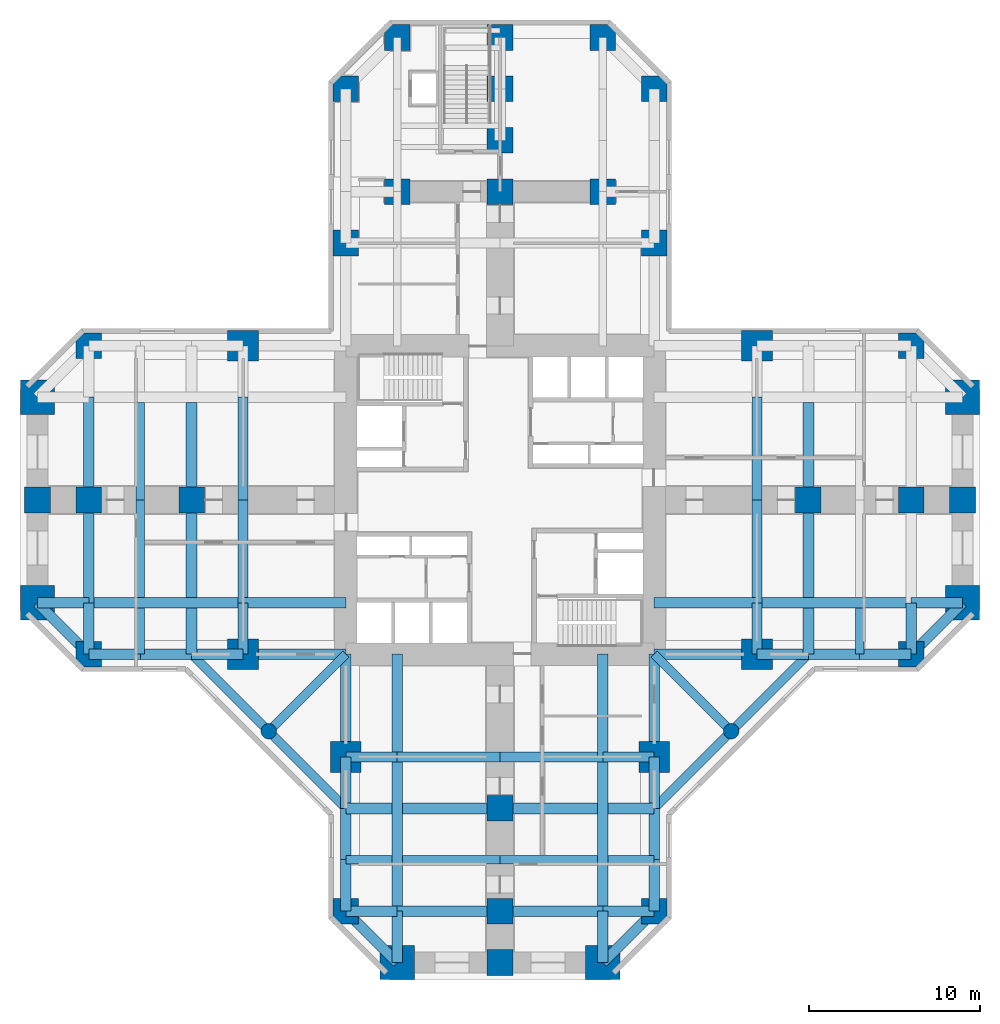
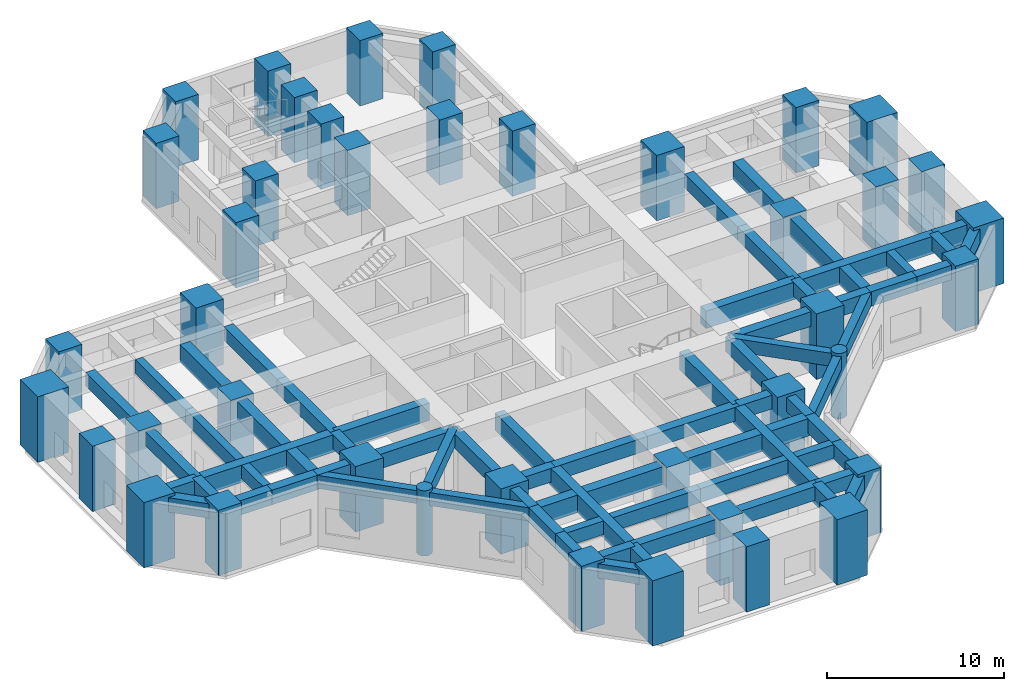
# One storey, part 1 of 8: 74 beams, 41 columns.
"""IFC4 building model written with IfcOpenShell, lengths in metres."""

from ifc_helpers import new_model, si_unit, direction, frame, origin, origin_2d, place, context, subcontext, project, spatial, rectangle, circle, extrude, material, material_profile, profile_set, type_object, element, save


model = new_model("IFC4")

# Units and contexts
model_context = context("Model", 3, precision=1e-05, world=origin(), true_north=direction((0.0, 1.0)))
body_context = subcontext(model_context, "Body", "Model", "MODEL_VIEW")
ifc_project = project(units=[si_unit("LENGTHUNIT", "METRE"), si_unit("AREAUNIT", "SQUARE_METRE"), si_unit("VOLUMEUNIT", "CUBIC_METRE"), si_unit("PLANEANGLEUNIT", "RADIAN"), si_unit("MASSUNIT", "GRAM", prefix="KILO")], contexts=[model_context])

# Site, building, storey
site_placement = place(None, origin())
site = spatial("IfcSite", under=ifc_project, at=site_placement, CompositionType="ELEMENT")
building_placement = place(site_placement, origin())
building = spatial("IfcBuilding", under=site, at=building_placement, Name="Torre Cruceta", CompositionType="ELEMENT")
storey_placement = place(building_placement, frame((0.0, 0.0, 9.5)))
storey = spatial("IfcBuildingStorey", under=building, at=storey_placement, Name="L02", CompositionType="ELEMENT", Elevation=9.5)

# Columns
ifc_material_1 = material(Name="Concrete G60 (fck 60 MPa)", Category="concrete")
ifc_material_profile_1 = material_profile(ifc_material_1, rectangle(XDim=1.5, YDim=1.5, at=origin_2d()), Name="RC 1500X1500")
ifc_profile_set_1 = profile_set([ifc_material_profile_1], Name="Concrete G60 (fck 60 MPa)")
column_type_1 = type_object("IfcColumnType", Name="COLUMN RC 1500X1500", PredefinedType="COLUMN", material=ifc_profile_set_1)
for number, where, z_axis, x_axis, name in (
    (1, (9.0, 15.0, 0.0), (0.0, 0.0, 1.0), (1.0, 0.0, 0.0), "C0 L02 N side"),
    (2, (9.0, 24.0, 0.0), (0.0, 0.0, 1.0), (1.0, 0.0, 0.0), "C0 L02 N chamfer"),
    (3, (-9.0, 15.0, 0.0), (0.0, 0.0, 1.0), (1.0, 0.0, 0.0), "C0 L02 N side"),
    (4, (-9.0, 24.0, 0.0), (0.0, 0.0, 1.0), (1.0, 0.0, 0.0), "C0 L02 N chamfer"),
    (5, (6.0, 27.0, 0.0), (0.0, 0.0, 1.0), (1.0, 0.0, 0.0), "C0 L02 N tip"),
    (6, (0.0, 27.0, 0.0), (0.0, 0.0, 1.0), (1.0, 0.0, 0.0), "C0 L02 N tip"),
    (7, (-6.0, 27.0, 0.0), (0.0, 0.0, 1.0), (1.0, 0.0, 0.0), "C0 L02 N tip"),
    (8, (24.0, -9.0, 0.0), (0.0, 0.0, 1.0), (1.0, 0.0, 0.0), "C0 L02 E chamfer"),
    (9, (24.0, 9.0, 0.0), (0.0, 0.0, 1.0), (1.0, 0.0, 0.0), "C0 L02 E chamfer"),
    (10, (27.0, 0.0, 0.0), (0.0, 0.0, 1.0), (1.0, 0.0, 0.0), "C0 L02 E tip"),
    (11, (-9.0, -24.0, 0.0), (0.0, 0.0, 1.0), (1.0, 0.0, 0.0), "C0 L02 S chamfer"),
    (12, (9.0, -24.0, 0.0), (0.0, 0.0, 1.0), (1.0, 0.0, 0.0), "C0 L02 S chamfer"),
    (13, (0.0, -27.0, 0.0), (0.0, 0.0, 1.0), (1.0, 0.0, 0.0), "C0 L02 S tip"),
    (14, (-24.0, 9.0, 0.0), (0.0, 0.0, 1.0), (1.0, 0.0, 0.0), "C0 L02 W chamfer"),
    (15, (-24.0, -9.0, 0.0), (0.0, 0.0, 1.0), (1.0, 0.0, 0.0), "C0 L02 W chamfer"),
    (16, (-27.0, 0.0, 0.0), (0.0, 0.0, 1.0), (1.0, 0.0, 0.0), "C0 L02 W tip"),
    (17, (6.0, 18.0, 0.0), (0.0, 0.0, 1.0), (1.0, 0.0, 0.0), "C0 L02 N interior"),
    (18, (0.0, 18.0, 0.0), (0.0, 0.0, 1.0), (1.0, 0.0, 0.0), "C0 L02 N interior"),
    (19, (-6.0, 18.0, 0.0), (0.0, 0.0, 1.0), (1.0, 0.0, 0.0), "C0 L02 N interior"),
    (20, (0.0, 21.0, 0.0), (0.0, 0.0, 1.0), (1.0, 0.0, 0.0), "C0 L02 N interior"),
    (21, (0.0, 24.0, 0.0), (0.0, 0.0, 1.0), (1.0, 0.0, 0.0), "C0 L02 N interior"),
    (22, (18.0, 0.0, 0.0), (0.0, 0.0, 1.0), (1.0, 0.0, 0.0), "C0 L02 E interior"),
    (23, (24.0, 0.0, 0.0), (0.0, 0.0, 1.0), (1.0, 0.0, 0.0), "C0 L02 E interior"),
    (24, (0.0, -18.0, 0.0), (0.0, 0.0, 1.0), (1.0, 0.0, 0.0), "C0 L02 S interior"),
    (25, (0.0, -24.0, 0.0), (0.0, 0.0, 1.0), (1.0, 0.0, 0.0), "C0 L02 S interior"),
    (26, (-18.0, 0.0, 0.0), (0.0, 0.0, 1.0), (1.0, 0.0, 0.0), "C0 L02 W interior"),
    (27, (-24.0, 0.0, 0.0), (0.0, 0.0, 1.0), (1.0, 0.0, 0.0), "C0 L02 W interior"),
):
    element("IfcColumn", number, at=place(storey_placement, frame(where, z_axis=z_axis, x_axis=x_axis)), inside=storey, type_object=column_type_1, Name=name, PredefinedType="COLUMN", context=body_context, shape_type="SweptSolid", body=[
        extrude(rectangle(XDim=1.5, YDim=1.5, at=origin_2d()), origin(), (0.0, 0.0, 1.0), 4.5),
    ])
ifc_material_2 = material(Name="Concrete G60 (fck 60 MPa)", Category="concrete")
ifc_material_profile_2 = material_profile(ifc_material_2, rectangle(XDim=1.800048828125, YDim=1.800048828125, at=origin_2d()), Name="RC 1800X1800")
ifc_profile_set_2 = profile_set([ifc_material_profile_2], Name="Concrete G60 (fck 60 MPa)")
column_type_2 = type_object("IfcColumnType", Name="COLUMN RC 1800X1800", PredefinedType="COLUMN", material=ifc_profile_set_2)
for number, where, z_axis, x_axis, name in (
    (28, (15.0, -9.0, 0.0), (0.0, 0.0, 1.0), (1.0, 0.0, 0.0), "CB L02 E side"),
    (29, (15.0, 9.0, 0.0), (0.0, 0.0, 1.0), (1.0, 0.0, 0.0), "CB L02 E side"),
    (30, (-9.0, -15.0, 0.0), (0.0, 0.0, 1.0), (1.0, 0.0, 0.0), "CB L02 S side"),
    (31, (9.0, -15.0, 0.0), (0.0, 0.0, 1.0), (1.0, 0.0, 0.0), "CB L02 S side"),
    (32, (-15.0, 9.0, 0.0), (0.0, 0.0, 1.0), (1.0, 0.0, 0.0), "CB L02 W side"),
    (33, (-15.0, -9.0, 0.0), (0.0, 0.0, 1.0), (1.0, 0.0, 0.0), "CB L02 W side"),
):
    element("IfcColumn", number, at=place(storey_placement, frame(where, z_axis=z_axis, x_axis=x_axis)), inside=storey, type_object=column_type_2, Name=name, PredefinedType="COLUMN", context=body_context, shape_type="SweptSolid", body=[
        extrude(rectangle(XDim=1.800048828125, YDim=1.800048828125, at=origin_2d()), origin(), (0.0, 0.0, 1.0), 4.5),
    ])
ifc_material_3 = material(Name="Concrete G60 (fck 60 MPa)", Category="concrete")
ifc_material_profile_3 = material_profile(ifc_material_3, rectangle(XDim=2.0, YDim=2.0, at=origin_2d()), Name="RC 2000X2000")
ifc_profile_set_3 = profile_set([ifc_material_profile_3], Name="Concrete G60 (fck 60 MPa)")
column_type_3 = type_object("IfcColumnType", Name="COLUMN RC 2000X2000", PredefinedType="COLUMN", material=ifc_profile_set_3)
for number, where, z_axis, x_axis, name in (
    (34, (27.0, -6.0, 0.0), (0.0, 0.0, 1.0), (1.0, 0.0, 0.0), "CA L02 E tip"),
    (35, (27.0, 6.0, 0.0), (0.0, 0.0, 1.0), (1.0, 0.0, 0.0), "CA L02 E tip"),
    (36, (-6.0, -27.0, 0.0), (0.0, 0.0, 1.0), (1.0, 0.0, 0.0), "CA L02 S tip"),
    (37, (6.0, -27.0, 0.0), (0.0, 0.0, 1.0), (1.0, 0.0, 0.0), "CA L02 S tip"),
    (38, (-27.0, 6.0, 0.0), (0.0, 0.0, 1.0), (1.0, 0.0, 0.0), "CA L02 W tip"),
    (39, (-27.0, -6.0, 0.0), (0.0, 0.0, 1.0), (1.0, 0.0, 0.0), "CA L02 W tip"),
):
    element("IfcColumn", number, at=place(storey_placement, frame(where, z_axis=z_axis, x_axis=x_axis)), inside=storey, type_object=column_type_3, Name=name, PredefinedType="COLUMN", context=body_context, shape_type="SweptSolid", body=[
        extrude(rectangle(XDim=2.0, YDim=2.0, at=origin_2d()), origin(), (0.0, 0.0, 1.0), 4.5),
    ])
ifc_material_4 = material(Name="Concrete G60 (fck 60 MPa)", Category="concrete")
ifc_material_profile_4 = material_profile(ifc_material_4, circle(Radius=0.449951171875, at=origin_2d()), Name="RC D900")
ifc_profile_set_4 = profile_set([ifc_material_profile_4], Name="Concrete G60 (fck 60 MPa)")
column_type_4 = type_object("IfcColumnType", Name="COLUMN RC D900", PredefinedType="COLUMN", material=ifc_profile_set_4)
for number, where, z_axis, x_axis, name in (
    (40, (13.5, -13.5, 0.0), (0.0, 0.0, 1.0), (1.0, 0.0, 0.0), "C9 L02 S wing"),
    (41, (-13.5, -13.5, 0.0), (0.0, 0.0, 1.0), (1.0, 0.0, 0.0), "C9 L02 W wing"),
):
    element("IfcColumn", number, at=place(storey_placement, frame(where, z_axis=z_axis, x_axis=x_axis)), inside=storey, type_object=column_type_4, Name=name, PredefinedType="COLUMN", context=body_context, shape_type="SweptSolid", body=[
        extrude(circle(Radius=0.449951171875, at=origin_2d()), origin(), (0.0, 0.0, 1.0), 4.5),
    ])

# Beams
ifc_material_5 = material(Name="Concrete G60 (fck 60 MPa)", Category="concrete")
ifc_material_profile_5 = material_profile(ifc_material_5, rectangle(XDim=0.60009765625, YDim=1.199951171875, at=origin_2d()), Name="RC 600X1200")
ifc_profile_set_5 = profile_set([ifc_material_profile_5], Name="Concrete G60 (fck 60 MPa)")
beam_type_1 = type_object("IfcBeamType", Name="COLUMN LINE BEAM RC 600X1200", PredefinedType="BEAM", material=ifc_profile_set_5)
beam_1_placement = place(storey_placement, frame((9.0, -6.0, 3.699951171875), z_axis=(1.0, 0.0, 0.0), x_axis=(0.0, 1.0, 0.0)))
element("IfcBeam", 42, at=beam_1_placement, inside=storey, type_object=beam_type_1, Name="LB2 L02 E col- 1", PredefinedType="BEAM", context=body_context, shape_type="SweptSolid", body=[
    extrude(rectangle(XDim=0.60009765625, YDim=1.199951171875, at=origin_2d()), origin(), (0.0, 0.0, 1.0), 6.0),
])
beam_2_placement = place(storey_placement, frame((15.0, -6.0, 3.699951171875), z_axis=(1.0, 0.0, 0.0), x_axis=(0.0, 1.0, 0.0)))
element("IfcBeam", 43, at=beam_2_placement, inside=storey, type_object=beam_type_1, Name="LB2 L02 E col- 2", PredefinedType="BEAM", context=body_context, shape_type="SweptSolid", body=[
    extrude(rectangle(XDim=0.60009765625, YDim=1.199951171875, at=origin_2d()), origin(), (0.0, 0.0, 1.0), 9.0),
])
beam_3_placement = place(storey_placement, frame((24.0, -6.0, 3.699951171875), z_axis=(1.0, 0.0, 0.0), x_axis=(0.0, 1.0, 0.0)))
element("IfcBeam", 44, at=beam_3_placement, inside=storey, type_object=beam_type_1, Name="LB2 L02 E col- 5", PredefinedType="BEAM", context=body_context, shape_type="SweptSolid", body=[
    extrude(rectangle(XDim=0.60009765625, YDim=1.199951171875, at=origin_2d()), origin(), (0.0, 0.0, 1.0), 3.0),
])
beam_4_placement = place(storey_placement, frame((-6.0, -9.0, 3.699951171875), z_axis=(0.0, -1.0, 0.0), x_axis=(1.0, 0.0, 0.0)))
element("IfcBeam", 45, at=beam_4_placement, inside=storey, type_object=beam_type_1, Name="LB2 L02 S col- 1", PredefinedType="BEAM", context=body_context, shape_type="SweptSolid", body=[
    extrude(rectangle(XDim=0.60009765625, YDim=1.199951171875, at=origin_2d()), origin(), (0.0, 0.0, 1.0), 6.0),
])
beam_5_placement = place(storey_placement, frame((-6.0, -15.0, 3.699951171875), z_axis=(0.0, -1.0, 0.0), x_axis=(1.0, 0.0, 0.0)))
element("IfcBeam", 46, at=beam_5_placement, inside=storey, type_object=beam_type_1, Name="LB2 L02 S col- 2", PredefinedType="BEAM", context=body_context, shape_type="SweptSolid", body=[
    extrude(rectangle(XDim=0.60009765625, YDim=1.199951171875, at=origin_2d()), origin(), (0.0, 0.0, 1.0), 9.0),
])
beam_6_placement = place(storey_placement, frame((-6.0, -24.0, 3.699951171875), z_axis=(0.0, -1.0, 0.0), x_axis=(1.0, 0.0, 0.0)))
element("IfcBeam", 47, at=beam_6_placement, inside=storey, type_object=beam_type_1, Name="LB2 L02 S col- 5", PredefinedType="BEAM", context=body_context, shape_type="SweptSolid", body=[
    extrude(rectangle(XDim=0.60009765625, YDim=1.199951171875, at=origin_2d()), origin(), (0.0, 0.0, 1.0), 3.0),
])
beam_7_placement = place(storey_placement, frame((6.0, -9.0, 3.699951171875), z_axis=(0.0, -1.0, 0.0), x_axis=(1.0, 0.0, 0.0)))
element("IfcBeam", 48, at=beam_7_placement, inside=storey, type_object=beam_type_1, Name="LB2 L02 S col+ 1", PredefinedType="BEAM", context=body_context, shape_type="SweptSolid", body=[
    extrude(rectangle(XDim=0.60009765625, YDim=1.199951171875, at=origin_2d()), origin(), (0.0, 0.0, 1.0), 6.0),
])
beam_8_placement = place(storey_placement, frame((6.0, -15.0, 3.699951171875), z_axis=(0.0, -1.0, 0.0), x_axis=(1.0, 0.0, 0.0)))
element("IfcBeam", 49, at=beam_8_placement, inside=storey, type_object=beam_type_1, Name="LB2 L02 S col+ 2", PredefinedType="BEAM", context=body_context, shape_type="SweptSolid", body=[
    extrude(rectangle(XDim=0.60009765625, YDim=1.199951171875, at=origin_2d()), origin(), (0.0, 0.0, 1.0), 9.0),
])
beam_9_placement = place(storey_placement, frame((6.0, -24.0, 3.699951171875), z_axis=(0.0, -1.0, 0.0), x_axis=(1.0, 0.0, 0.0)))
element("IfcBeam", 50, at=beam_9_placement, inside=storey, type_object=beam_type_1, Name="LB2 L02 S col+ 5", PredefinedType="BEAM", context=body_context, shape_type="SweptSolid", body=[
    extrude(rectangle(XDim=0.60009765625, YDim=1.199951171875, at=origin_2d()), origin(), (0.0, 0.0, 1.0), 3.0),
])
beam_10_placement = place(storey_placement, frame((-9.0, -6.0, 3.699951171875), z_axis=(-1.0, 0.0, 0.0), x_axis=(0.0, -1.0, 0.0)))
element("IfcBeam", 51, at=beam_10_placement, inside=storey, type_object=beam_type_1, Name="LB2 L02 W col+ 1", PredefinedType="BEAM", context=body_context, shape_type="SweptSolid", body=[
    extrude(rectangle(XDim=0.60009765625, YDim=1.199951171875, at=origin_2d()), origin(), (0.0, 0.0, 1.0), 6.0),
])
beam_11_placement = place(storey_placement, frame((-15.0, -6.0, 3.699951171875), z_axis=(-1.0, 0.0, 0.0), x_axis=(0.0, -1.0, 0.0)))
element("IfcBeam", 52, at=beam_11_placement, inside=storey, type_object=beam_type_1, Name="LB2 L02 W col+ 2", PredefinedType="BEAM", context=body_context, shape_type="SweptSolid", body=[
    extrude(rectangle(XDim=0.60009765625, YDim=1.199951171875, at=origin_2d()), origin(), (0.0, 0.0, 1.0), 9.0),
])
beam_12_placement = place(storey_placement, frame((-24.0, -6.0, 3.699951171875), z_axis=(-1.0, 0.0, 0.0), x_axis=(0.0, -1.0, 0.0)))
element("IfcBeam", 53, at=beam_12_placement, inside=storey, type_object=beam_type_1, Name="LB2 L02 W col+ 5", PredefinedType="BEAM", context=body_context, shape_type="SweptSolid", body=[
    extrude(rectangle(XDim=0.60009765625, YDim=1.199951171875, at=origin_2d()), origin(), (0.0, 0.0, 1.0), 3.0),
])
ifc_material_6 = material(Name="Concrete G60 (fck 60 MPa)", Category="concrete")
ifc_material_profile_6 = material_profile(ifc_material_6, rectangle(XDim=0.60009765625, YDim=0.949951171875, at=origin_2d()), Name="RC 600X950")
ifc_profile_set_6 = profile_set([ifc_material_profile_6], Name="Concrete G60 (fck 60 MPa)")
beam_type_2 = type_object("IfcBeamType", Name="CROSS BEAM RC 600X950", PredefinedType="BEAM", material=ifc_profile_set_6)
beam_13_placement = place(storey_placement, frame((15.0, -9.0, 3.824951171875), z_axis=(0.0, 1.0, 0.0), x_axis=(-1.0, 0.0, 0.0)))
element("IfcBeam", 54, at=beam_13_placement, inside=storey, type_object=beam_type_2, Name="GB1 L02 E cross15 1", PredefinedType="BEAM", context=body_context, shape_type="SweptSolid", body=[
    extrude(rectangle(XDim=0.60009765625, YDim=0.949951171875, at=origin_2d()), origin(), (0.0, 0.0, 1.0), 3.0),
])
for number, where, z_axis, x_axis, name in (
    (55, (15.0, -6.0, 3.824951171875), (0.0, 1.0, 0.0), (-1.0, 0.0, 0.0), "GB1 L02 E cross15 2"),
    (56, (15.0, 0.0, 3.824951171875), (0.0, 1.0, 0.0), (-1.0, 0.0, 0.0), "GB1 L02 E cross15 3"),
):
    element("IfcBeam", number, at=place(storey_placement, frame(where, z_axis=z_axis, x_axis=x_axis)), inside=storey, type_object=beam_type_2, Name=name, PredefinedType="BEAM", context=body_context, shape_type="SweptSolid", body=[
        extrude(rectangle(XDim=0.60009765625, YDim=0.949951171875, at=origin_2d()), origin(), (0.0, 0.0, 1.0), 6.0),
    ])
for number, where, z_axis, x_axis, name in (
    (57, (24.0, -9.0, 3.824951171875), (0.0, 1.0, 0.0), (-1.0, 0.0, 0.0), "GB1 L02 E cross24 1"),
    (58, (-9.0, -15.0, 3.824951171875), (1.0, 0.0, 0.0), (0.0, 1.0, 0.0), "GB1 L02 S cross15 1"),
):
    element("IfcBeam", number, at=place(storey_placement, frame(where, z_axis=z_axis, x_axis=x_axis)), inside=storey, type_object=beam_type_2, Name=name, PredefinedType="BEAM", context=body_context, shape_type="SweptSolid", body=[
        extrude(rectangle(XDim=0.60009765625, YDim=0.949951171875, at=origin_2d()), origin(), (0.0, 0.0, 1.0), 3.0),
    ])
for number, where, z_axis, x_axis, name in (
    (59, (-6.0, -15.0, 3.824951171875), (1.0, 0.0, 0.0), (0.0, 1.0, 0.0), "GB1 L02 S cross15 2"),
    (60, (0.0, -15.0, 3.824951171875), (1.0, 0.0, 0.0), (0.0, 1.0, 0.0), "GB1 L02 S cross15 3"),
):
    element("IfcBeam", number, at=place(storey_placement, frame(where, z_axis=z_axis, x_axis=x_axis)), inside=storey, type_object=beam_type_2, Name=name, PredefinedType="BEAM", context=body_context, shape_type="SweptSolid", body=[
        extrude(rectangle(XDim=0.60009765625, YDim=0.949951171875, at=origin_2d()), origin(), (0.0, 0.0, 1.0), 6.0),
    ])
for number, where, z_axis, x_axis, name in (
    (61, (6.0, -15.0, 3.824951171875), (1.0, 0.0, 0.0), (0.0, 1.0, 0.0), "GB1 L02 S cross15 4"),
    (62, (-9.0, -24.0, 3.824951171875), (1.0, 0.0, 0.0), (0.0, 1.0, 0.0), "GB1 L02 S cross24 1"),
):
    element("IfcBeam", number, at=place(storey_placement, frame(where, z_axis=z_axis, x_axis=x_axis)), inside=storey, type_object=beam_type_2, Name=name, PredefinedType="BEAM", context=body_context, shape_type="SweptSolid", body=[
        extrude(rectangle(XDim=0.60009765625, YDim=0.949951171875, at=origin_2d()), origin(), (0.0, 0.0, 1.0), 3.0),
    ])
for number, where, z_axis, x_axis, name in (
    (63, (-6.0, -24.0, 3.824951171875), (1.0, 0.0, 0.0), (0.0, 1.0, 0.0), "GB1 L02 S cross24 2"),
    (64, (0.0, -24.0, 3.824951171875), (1.0, 0.0, 0.0), (0.0, 1.0, 0.0), "GB1 L02 S cross24 3"),
):
    element("IfcBeam", number, at=place(storey_placement, frame(where, z_axis=z_axis, x_axis=x_axis)), inside=storey, type_object=beam_type_2, Name=name, PredefinedType="BEAM", context=body_context, shape_type="SweptSolid", body=[
        extrude(rectangle(XDim=0.60009765625, YDim=0.949951171875, at=origin_2d()), origin(), (0.0, 0.0, 1.0), 6.0),
    ])
beam_14_placement = place(storey_placement, frame((6.0, -24.0, 3.824951171875), z_axis=(1.0, 0.0, 0.0), x_axis=(0.0, 1.0, 0.0)))
element("IfcBeam", 65, at=beam_14_placement, inside=storey, type_object=beam_type_2, Name="GB1 L02 S cross24 4", PredefinedType="BEAM", context=body_context, shape_type="SweptSolid", body=[
    extrude(rectangle(XDim=0.60009765625, YDim=0.949951171875, at=origin_2d()), origin(), (0.0, 0.0, 1.0), 3.0),
])
for number, where, z_axis, x_axis, name in (
    (66, (-15.0, 6.0, 3.824951171875), (0.0, -1.0, 0.0), (1.0, 0.0, 0.0), "GB1 L02 W cross15 2"),
    (67, (-15.0, 0.0, 3.824951171875), (0.0, -1.0, 0.0), (1.0, 0.0, 0.0), "GB1 L02 W cross15 3"),
):
    element("IfcBeam", number, at=place(storey_placement, frame(where, z_axis=z_axis, x_axis=x_axis)), inside=storey, type_object=beam_type_2, Name=name, PredefinedType="BEAM", context=body_context, shape_type="SweptSolid", body=[
        extrude(rectangle(XDim=0.60009765625, YDim=0.949951171875, at=origin_2d()), origin(), (0.0, 0.0, 1.0), 6.0),
    ])
beam_15_placement = place(storey_placement, frame((-15.0, -6.0, 3.824951171875), z_axis=(0.0, -1.0, 0.0), x_axis=(1.0, 0.0, 0.0)))
element("IfcBeam", 68, at=beam_15_placement, inside=storey, type_object=beam_type_2, Name="GB1 L02 W cross15 4", PredefinedType="BEAM", context=body_context, shape_type="SweptSolid", body=[
    extrude(rectangle(XDim=0.60009765625, YDim=0.949951171875, at=origin_2d()), origin(), (0.0, 0.0, 1.0), 3.0),
])
for number, where, z_axis, x_axis, name in (
    (69, (-24.0, 6.0, 3.824951171875), (0.0, -1.0, 0.0), (1.0, 0.0, 0.0), "GB1 L02 W cross24 2"),
    (70, (-24.0, 0.0, 3.824951171875), (0.0, -1.0, 0.0), (1.0, 0.0, 0.0), "GB1 L02 W cross24 3"),
):
    element("IfcBeam", number, at=place(storey_placement, frame(where, z_axis=z_axis, x_axis=x_axis)), inside=storey, type_object=beam_type_2, Name=name, PredefinedType="BEAM", context=body_context, shape_type="SweptSolid", body=[
        extrude(rectangle(XDim=0.60009765625, YDim=0.949951171875, at=origin_2d()), origin(), (0.0, 0.0, 1.0), 6.0),
    ])
beam_16_placement = place(storey_placement, frame((-24.0, -6.0, 3.824951171875), z_axis=(0.0, -1.0, 0.0), x_axis=(1.0, 0.0, 0.0)))
element("IfcBeam", 71, at=beam_16_placement, inside=storey, type_object=beam_type_2, Name="GB1 L02 W cross24 4", PredefinedType="BEAM", context=body_context, shape_type="SweptSolid", body=[
    extrude(rectangle(XDim=0.60009765625, YDim=0.949951171875, at=origin_2d()), origin(), (0.0, 0.0, 1.0), 3.0),
])
ifc_material_7 = material(Name="Concrete G60 (fck 60 MPa)", Category="concrete")
ifc_material_profile_7 = material_profile(ifc_material_7, rectangle(XDim=0.64990234375, YDim=1.199951171875, at=origin_2d()), Name="RC 650X1200")
ifc_profile_set_7 = profile_set([ifc_material_profile_7], Name="Concrete G60 (fck 60 MPa)")
beam_type_3 = type_object("IfcBeamType", Name="CROSS BEAM RC 650X1200", PredefinedType="BEAM", material=ifc_profile_set_7)
beam_17_placement = place(storey_placement, frame((18.0, -9.0, 3.699951171875), z_axis=(0.0, 1.0, 0.0), x_axis=(-1.0, 0.0, 0.0)))
element("IfcBeam", 72, at=beam_17_placement, inside=storey, type_object=beam_type_3, Name="GB2 L02 E cross18 1", PredefinedType="BEAM", context=body_context, shape_type="SweptSolid", body=[
    extrude(rectangle(XDim=0.64990234375, YDim=1.199951171875, at=origin_2d()), origin(), (0.0, 0.0, 1.0), 2.699951171875),
])
for number, where, z_axis, x_axis, name in (
    (73, (18.0, -5.699951171875, 3.699951171875), (0.0, 1.0, 0.0), (-1.0, 0.0, 0.0), "GB2 L02 E cross18 2"),
    (74, (18.0, 0.0, 3.699951171875), (0.0, 1.0, 0.0), (-1.0, 0.0, 0.0), "GB2 L02 E cross18 3"),
):
    element("IfcBeam", number, at=place(storey_placement, frame(where, z_axis=z_axis, x_axis=x_axis)), inside=storey, type_object=beam_type_3, Name=name, PredefinedType="BEAM", context=body_context, shape_type="SweptSolid", body=[
        extrude(rectangle(XDim=0.64990234375, YDim=1.199951171875, at=origin_2d()), origin(), (0.0, 0.0, 1.0), 5.699951171875),
    ])
beam_18_placement = place(storey_placement, frame((-9.0, -18.0, 3.699951171875), z_axis=(1.0, 0.0, 0.0), x_axis=(0.0, 1.0, 0.0)))
element("IfcBeam", 75, at=beam_18_placement, inside=storey, type_object=beam_type_3, Name="GB2 L02 S cross18 1", PredefinedType="BEAM", context=body_context, shape_type="SweptSolid", body=[
    extrude(rectangle(XDim=0.64990234375, YDim=1.199951171875, at=origin_2d()), origin(), (0.0, 0.0, 1.0), 2.699951171875),
])
for number, where, z_axis, x_axis, name in (
    (76, (-5.699951171875, -18.0, 3.699951171875), (1.0, 0.0, 0.0), (0.0, 1.0, 0.0), "GB2 L02 S cross18 2"),
    (77, (0.0, -18.0, 3.699951171875), (1.0, 0.0, 0.0), (0.0, 1.0, 0.0), "GB2 L02 S cross18 3"),
):
    element("IfcBeam", number, at=place(storey_placement, frame(where, z_axis=z_axis, x_axis=x_axis)), inside=storey, type_object=beam_type_3, Name=name, PredefinedType="BEAM", context=body_context, shape_type="SweptSolid", body=[
        extrude(rectangle(XDim=0.64990234375, YDim=1.199951171875, at=origin_2d()), origin(), (0.0, 0.0, 1.0), 5.699951171875),
    ])
beam_19_placement = place(storey_placement, frame((6.300048828125, -18.0, 3.699951171875), z_axis=(1.0, 0.0, 0.0), x_axis=(0.0, 1.0, 0.0)))
element("IfcBeam", 78, at=beam_19_placement, inside=storey, type_object=beam_type_3, Name="GB2 L02 S cross18 4", PredefinedType="BEAM", context=body_context, shape_type="SweptSolid", body=[
    extrude(rectangle(XDim=0.64990234375, YDim=1.199951171875, at=origin_2d()), origin(), (0.0, 0.0, 1.0), 2.699951171875),
])
for number, where, z_axis, x_axis, name in (
    (79, (-18.0, 5.699951171875, 3.699951171875), (0.0, -1.0, 0.0), (1.0, 0.0, 0.0), "GB2 L02 W cross18 2"),
    (80, (-18.0, 0.0, 3.699951171875), (0.0, -1.0, 0.0), (1.0, 0.0, 0.0), "GB2 L02 W cross18 3"),
):
    element("IfcBeam", number, at=place(storey_placement, frame(where, z_axis=z_axis, x_axis=x_axis)), inside=storey, type_object=beam_type_3, Name=name, PredefinedType="BEAM", context=body_context, shape_type="SweptSolid", body=[
        extrude(rectangle(XDim=0.64990234375, YDim=1.199951171875, at=origin_2d()), origin(), (0.0, 0.0, 1.0), 5.699951171875),
    ])
beam_20_placement = place(storey_placement, frame((-18.0, -6.300048828125, 3.699951171875), z_axis=(0.0, -1.0, 0.0), x_axis=(1.0, 0.0, 0.0)))
element("IfcBeam", 81, at=beam_20_placement, inside=storey, type_object=beam_type_3, Name="GB2 L02 W cross18 4", PredefinedType="BEAM", context=body_context, shape_type="SweptSolid", body=[
    extrude(rectangle(XDim=0.64990234375, YDim=1.199951171875, at=origin_2d()), origin(), (0.0, 0.0, 1.0), 2.699951171875),
])
ifc_material_8 = material(Name="Concrete G60 (fck 60 MPa)", Category="concrete")
ifc_material_profile_8 = material_profile(ifc_material_8, rectangle(XDim=0.5, YDim=0.949951171875, at=origin_2d()), Name="RC 500X950")
ifc_profile_set_8 = profile_set([ifc_material_profile_8], Name="Concrete G60 (fck 60 MPa)")
beam_type_4 = type_object("IfcBeamType", Name="SECONDARY BEAM RC 500X950", PredefinedType="JOIST", material=ifc_profile_set_8)
for number, where, z_axis, x_axis, name in (
    (82, (21.0, -9.0, 3.824951171875), (0.0, 1.0, 0.0), (-1.0, 0.0, 0.0), "JB2 L02 E sec21 1"),
    (83, (-9.0, -21.0, 3.824951171875), (1.0, 0.0, 0.0), (0.0, 1.0, 0.0), "JB2 L02 S sec21 1"),
):
    element("IfcBeam", number, at=place(storey_placement, frame(where, z_axis=z_axis, x_axis=x_axis)), inside=storey, type_object=beam_type_4, Name=name, PredefinedType="JOIST", context=body_context, shape_type="SweptSolid", body=[
        extrude(rectangle(XDim=0.5, YDim=0.949951171875, at=origin_2d()), origin(), (0.0, 0.0, 1.0), 2.699951171875),
    ])
for number, where, z_axis, x_axis, name in (
    (84, (-5.699951171875, -21.0, 3.824951171875), (1.0, 0.0, 0.0), (0.0, 1.0, 0.0), "JB2 L02 S sec21 2"),
    (85, (0.0, -21.0, 3.824951171875), (1.0, 0.0, 0.0), (0.0, 1.0, 0.0), "JB2 L02 S sec21 3"),
):
    element("IfcBeam", number, at=place(storey_placement, frame(where, z_axis=z_axis, x_axis=x_axis)), inside=storey, type_object=beam_type_4, Name=name, PredefinedType="JOIST", context=body_context, shape_type="SweptSolid", body=[
        extrude(rectangle(XDim=0.5, YDim=0.949951171875, at=origin_2d()), origin(), (0.0, 0.0, 1.0), 5.699951171875),
    ])
beam_21_placement = place(storey_placement, frame((6.300048828125, -21.0, 3.824951171875), z_axis=(1.0, 0.0, 0.0), x_axis=(0.0, 1.0, 0.0)))
element("IfcBeam", 86, at=beam_21_placement, inside=storey, type_object=beam_type_4, Name="JB2 L02 S sec21 4", PredefinedType="JOIST", context=body_context, shape_type="SweptSolid", body=[
    extrude(rectangle(XDim=0.5, YDim=0.949951171875, at=origin_2d()), origin(), (0.0, 0.0, 1.0), 2.699951171875),
])
for number, where, z_axis, x_axis, name in (
    (87, (-21.0, 5.699951171875, 3.824951171875), (0.0, -1.0, 0.0), (1.0, 0.0, 0.0), "JB2 L02 W sec21 2"),
    (88, (-21.0, 0.0, 3.824951171875), (0.0, -1.0, 0.0), (1.0, 0.0, 0.0), "JB2 L02 W sec21 3"),
):
    element("IfcBeam", number, at=place(storey_placement, frame(where, z_axis=z_axis, x_axis=x_axis)), inside=storey, type_object=beam_type_4, Name=name, PredefinedType="JOIST", context=body_context, shape_type="SweptSolid", body=[
        extrude(rectangle(XDim=0.5, YDim=0.949951171875, at=origin_2d()), origin(), (0.0, 0.0, 1.0), 5.699951171875),
    ])
beam_22_placement = place(storey_placement, frame((-21.0, -6.300048828125, 3.824951171875), z_axis=(0.0, -1.0, 0.0), x_axis=(1.0, 0.0, 0.0)))
element("IfcBeam", 89, at=beam_22_placement, inside=storey, type_object=beam_type_4, Name="JB2 L02 W sec21 4", PredefinedType="JOIST", context=body_context, shape_type="SweptSolid", body=[
    extrude(rectangle(XDim=0.5, YDim=0.949951171875, at=origin_2d()), origin(), (0.0, 0.0, 1.0), 2.699951171875),
])
ifc_material_9 = material(Name="Concrete G60 (fck 60 MPa)", Category="concrete")
ifc_material_profile_9 = material_profile(ifc_material_9, rectangle(XDim=0.60009765625, YDim=1.0, at=origin_2d()), Name="RC 600X1000")
ifc_profile_set_9 = profile_set([ifc_material_profile_9], Name="Concrete G60 (fck 60 MPa)")
beam_type_5 = type_object("IfcBeamType", Name="SPANDREL BEAM RC 600X1000", PredefinedType="SPANDREL", material=ifc_profile_set_9)
beam_23_placement = place(storey_placement, frame((9.0, -9.0, 3.800048828125), z_axis=(1.0, 0.0, 0.0), x_axis=(0.0, 1.0, 0.0)))
element("IfcBeam", 90, at=beam_23_placement, inside=storey, type_object=beam_type_5, Name="SB1 L02 E side- 1", PredefinedType="SPANDREL", context=body_context, shape_type="SweptSolid", body=[
    extrude(rectangle(XDim=0.60009765625, YDim=1.0, at=origin_2d()), origin(), (0.0, 0.0, 1.0), 6.0),
])
for number, where, z_axis, x_axis, name in (
    (91, (15.0, -9.0, 3.800048828125), (1.0, 0.0, 0.0), (0.0, 1.0, 0.0), "SB1 L02 E side- 2"),
    (92, (18.0, -9.0, 3.800048828125), (1.0, 0.0, 0.0), (0.0, 1.0, 0.0), "SB1 L02 E side- 3"),
    (93, (21.0, -9.0, 3.800048828125), (1.0, 0.0, 0.0), (0.0, 1.0, 0.0), "SB1 L02 E side- 4"),
):
    element("IfcBeam", number, at=place(storey_placement, frame(where, z_axis=z_axis, x_axis=x_axis)), inside=storey, type_object=beam_type_5, Name=name, PredefinedType="SPANDREL", context=body_context, shape_type="SweptSolid", body=[
        extrude(rectangle(XDim=0.60009765625, YDim=1.0, at=origin_2d()), origin(), (0.0, 0.0, 1.0), 3.0),
    ])
beam_24_placement = place(storey_placement, frame((24.0, -9.0, 3.800048828125), z_axis=(0.707106781187, 0.707106781187, 0.0), x_axis=(-0.707106781187, 0.707106781187, 0.0)))
element("IfcBeam", 94, at=beam_24_placement, inside=storey, type_object=beam_type_5, Name="SB1 L02 E side- 5", PredefinedType="SPANDREL", context=body_context, shape_type="SweptSolid", body=[
    extrude(rectangle(XDim=0.60009765625, YDim=1.0, at=origin_2d()), origin(), (0.0, 0.0, 1.0), 4.24267578125),
])
beam_25_placement = place(storey_placement, frame((-9.0, -9.0, 3.800048828125), z_axis=(0.0, -1.0, 0.0), x_axis=(1.0, 0.0, 0.0)))
element("IfcBeam", 95, at=beam_25_placement, inside=storey, type_object=beam_type_5, Name="SB1 L02 S side- 1", PredefinedType="SPANDREL", context=body_context, shape_type="SweptSolid", body=[
    extrude(rectangle(XDim=0.60009765625, YDim=1.0, at=origin_2d()), origin(), (0.0, 0.0, 1.0), 6.0),
])
for number, where, z_axis, x_axis, name in (
    (96, (-9.0, -15.0, 3.800048828125), (0.0, -1.0, 0.0), (1.0, 0.0, 0.0), "SB1 L02 S side- 2"),
    (97, (-9.0, -18.0, 3.800048828125), (0.0, -1.0, 0.0), (1.0, 0.0, 0.0), "SB1 L02 S side- 3"),
    (98, (-9.0, -21.0, 3.800048828125), (0.0, -1.0, 0.0), (1.0, 0.0, 0.0), "SB1 L02 S side- 4"),
):
    element("IfcBeam", number, at=place(storey_placement, frame(where, z_axis=z_axis, x_axis=x_axis)), inside=storey, type_object=beam_type_5, Name=name, PredefinedType="SPANDREL", context=body_context, shape_type="SweptSolid", body=[
        extrude(rectangle(XDim=0.60009765625, YDim=1.0, at=origin_2d()), origin(), (0.0, 0.0, 1.0), 3.0),
    ])
beam_26_placement = place(storey_placement, frame((-9.0, -24.0, 3.800048828125), z_axis=(0.707106781187, -0.707106781187, 0.0), x_axis=(0.707106781187, 0.707106781187, 0.0)))
element("IfcBeam", 99, at=beam_26_placement, inside=storey, type_object=beam_type_5, Name="SB1 L02 S side- 5", PredefinedType="SPANDREL", context=body_context, shape_type="SweptSolid", body=[
    extrude(rectangle(XDim=0.60009765625, YDim=1.0, at=origin_2d()), origin(), (0.0, 0.0, 1.0), 4.24267578125),
])
beam_27_placement = place(storey_placement, frame((9.0, -9.0, 3.800048828125), z_axis=(0.0, -1.0, 0.0), x_axis=(1.0, 0.0, 0.0)))
element("IfcBeam", 100, at=beam_27_placement, inside=storey, type_object=beam_type_5, Name="SB1 L02 S side+ 1", PredefinedType="SPANDREL", context=body_context, shape_type="SweptSolid", body=[
    extrude(rectangle(XDim=0.60009765625, YDim=1.0, at=origin_2d()), origin(), (0.0, 0.0, 1.0), 6.0),
])
for number, where, z_axis, x_axis, name in (
    (101, (9.0, -15.0, 3.800048828125), (0.0, -1.0, 0.0), (1.0, 0.0, 0.0), "SB1 L02 S side+ 2"),
    (102, (9.0, -18.0, 3.800048828125), (0.0, -1.0, 0.0), (1.0, 0.0, 0.0), "SB1 L02 S side+ 3"),
    (103, (9.0, -21.0, 3.800048828125), (0.0, -1.0, 0.0), (1.0, 0.0, 0.0), "SB1 L02 S side+ 4"),
):
    element("IfcBeam", number, at=place(storey_placement, frame(where, z_axis=z_axis, x_axis=x_axis)), inside=storey, type_object=beam_type_5, Name=name, PredefinedType="SPANDREL", context=body_context, shape_type="SweptSolid", body=[
        extrude(rectangle(XDim=0.60009765625, YDim=1.0, at=origin_2d()), origin(), (0.0, 0.0, 1.0), 3.0),
    ])
beam_28_placement = place(storey_placement, frame((9.0, -24.0, 3.800048828125), z_axis=(-0.707106781187, -0.707106781187, 0.0), x_axis=(0.707106781187, -0.707106781187, 0.0)))
element("IfcBeam", 104, at=beam_28_placement, inside=storey, type_object=beam_type_5, Name="SB1 L02 S side+ 5", PredefinedType="SPANDREL", context=body_context, shape_type="SweptSolid", body=[
    extrude(rectangle(XDim=0.60009765625, YDim=1.0, at=origin_2d()), origin(), (0.0, 0.0, 1.0), 4.24267578125),
])
beam_29_placement = place(storey_placement, frame((-9.0, -9.0, 3.800048828125), z_axis=(-1.0, 0.0, 0.0), x_axis=(0.0, -1.0, 0.0)))
element("IfcBeam", 105, at=beam_29_placement, inside=storey, type_object=beam_type_5, Name="SB1 L02 W side+ 1", PredefinedType="SPANDREL", context=body_context, shape_type="SweptSolid", body=[
    extrude(rectangle(XDim=0.60009765625, YDim=1.0, at=origin_2d()), origin(), (0.0, 0.0, 1.0), 6.0),
])
for number, where, z_axis, x_axis, name in (
    (106, (-15.0, -9.0, 3.800048828125), (-1.0, 0.0, 0.0), (0.0, -1.0, 0.0), "SB1 L02 W side+ 2"),
    (107, (-18.0, -9.0, 3.800048828125), (-1.0, 0.0, 0.0), (0.0, -1.0, 0.0), "SB1 L02 W side+ 3"),
    (108, (-21.0, -9.0, 3.800048828125), (-1.0, 0.0, 0.0), (0.0, -1.0, 0.0), "SB1 L02 W side+ 4"),
):
    element("IfcBeam", number, at=place(storey_placement, frame(where, z_axis=z_axis, x_axis=x_axis)), inside=storey, type_object=beam_type_5, Name=name, PredefinedType="SPANDREL", context=body_context, shape_type="SweptSolid", body=[
        extrude(rectangle(XDim=0.60009765625, YDim=1.0, at=origin_2d()), origin(), (0.0, 0.0, 1.0), 3.0),
    ])
beam_30_placement = place(storey_placement, frame((-24.0, -9.0, 3.800048828125), z_axis=(-0.707106781187, 0.707106781187, 0.0), x_axis=(-0.707106781187, -0.707106781187, 0.0)))
element("IfcBeam", 109, at=beam_30_placement, inside=storey, type_object=beam_type_5, Name="SB1 L02 W side+ 5", PredefinedType="SPANDREL", context=body_context, shape_type="SweptSolid", body=[
    extrude(rectangle(XDim=0.60009765625, YDim=1.0, at=origin_2d()), origin(), (0.0, 0.0, 1.0), 4.24267578125),
])
ifc_material_10 = material(Name="Concrete G60 (fck 60 MPa)", Category="concrete")
ifc_material_profile_10 = material_profile(ifc_material_10, rectangle(XDim=0.5, YDim=0.89990234375, at=origin_2d()), Name="RC 500X900")
ifc_profile_set_10 = profile_set([ifc_material_profile_10], Name="Concrete G60 (fck 60 MPa)")
beam_type_6 = type_object("IfcBeamType", Name="WING EDGE BEAM RC 500X900", PredefinedType="BEAM", material=ifc_profile_set_10)
for number, where, z_axis, x_axis, name in (
    (110, (9.0, -18.0, 3.85009765625), (0.707106781187, 0.707106781187, 0.0), (-0.707106781187, 0.707106781187, 0.0), "WB1 L02 S wing 1"),
    (111, (13.5, -13.5, 3.85009765625), (0.707106781187, 0.707106781187, 0.0), (-0.707106781187, 0.707106781187, 0.0), "WB1 L02 S wing 2"),
    (112, (9.0, -9.0, 3.85009765625), (0.707106781187, -0.707106781187, 0.0), (0.707106781187, 0.707106781187, 0.0), "WB1 L02 S wingtie 1"),
    (113, (-18.0, -9.0, 3.85009765625), (0.707106781187, -0.707106781187, 0.0), (0.707106781187, 0.707106781187, 0.0), "WB1 L02 W wing 1"),
    (114, (-13.5, -13.5, 3.85009765625), (0.707106781187, -0.707106781187, 0.0), (0.707106781187, 0.707106781187, 0.0), "WB1 L02 W wing 2"),
    (115, (-9.0, -9.0, 3.85009765625), (-0.707106781187, -0.707106781187, 0.0), (0.707106781187, -0.707106781187, 0.0), "WB1 L02 W wingtie 1"),
):
    element("IfcBeam", number, at=place(storey_placement, frame(where, z_axis=z_axis, x_axis=x_axis)), inside=storey, type_object=beam_type_6, Name=name, PredefinedType="BEAM", context=body_context, shape_type="SweptSolid", body=[
        extrude(rectangle(XDim=0.5, YDim=0.89990234375, at=origin_2d()), origin(), (0.0, 0.0, 1.0), 6.364013671875),
    ])

save(model, "model.ifc")
